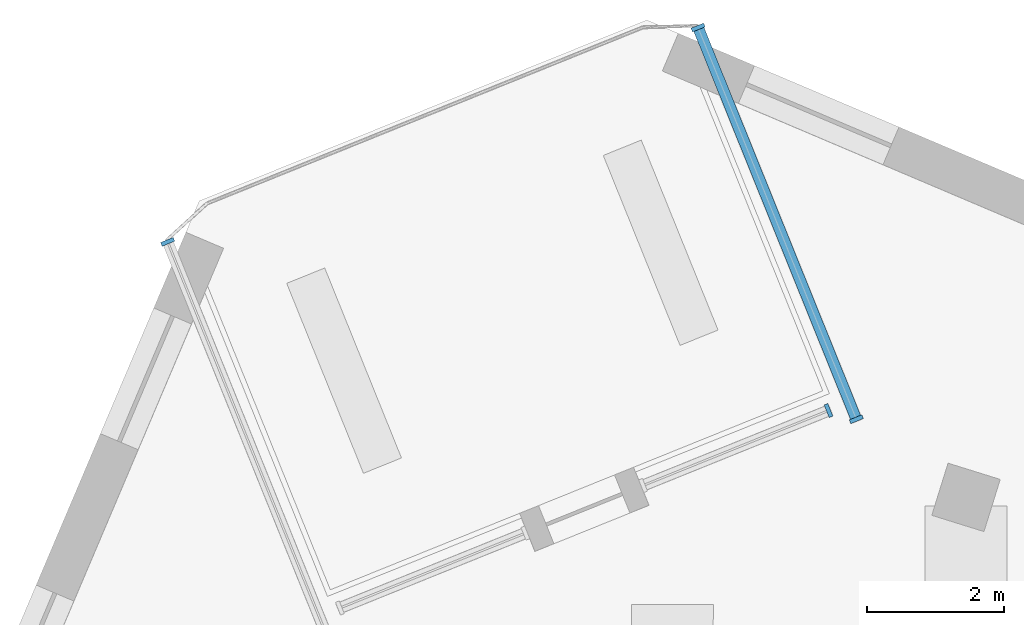
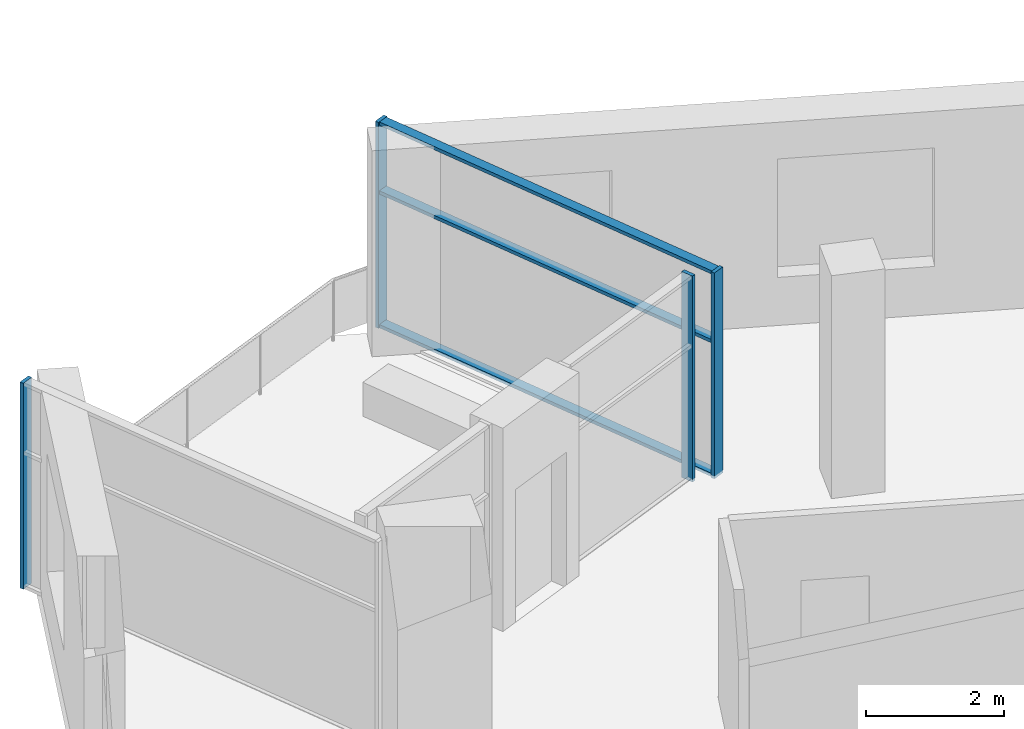
# One storey, part 4 of 13: 7 members, 3 elements without a shape of their own.
"""IFC4 building model written with IfcOpenShell, lengths in metres."""

from ifc_helpers import new_model, si_unit, direction, frame, origin, origin_2d, place, context, subcontext, project, spatial, rectangle, extrude, material, material_profile, profile_set, type_object, element, aggregate, save


model = new_model("IFC4")

# Units and contexts
model_context = context("Model", 3, precision=1e-05, world=origin(), true_north=direction((0.0, 1.0)))
body_context = subcontext(model_context, "Body", "Model", "MODEL_VIEW")
ifc_project = project(units=[si_unit("LENGTHUNIT", "METRE"), si_unit("AREAUNIT", "SQUARE_METRE"), si_unit("VOLUMEUNIT", "CUBIC_METRE"), si_unit("PLANEANGLEUNIT", "RADIAN"), si_unit("MASSUNIT", "GRAM", prefix="KILO")], contexts=[model_context])

# Site, building, storey
site_placement = place(None, origin())
site = spatial("IfcSite", under=ifc_project, at=site_placement, CompositionType="ELEMENT")
building_placement = place(site_placement, origin())
building = spatial("IfcBuilding", under=site, at=building_placement, Name="Dilmun Exchange Tower", CompositionType="ELEMENT")
storey_placement = place(building_placement, frame((0.0, 0.0, 296.5)))
storey = spatial("IfcBuildingStorey", under=building, at=storey_placement, Name="L70", CompositionType="ELEMENT", Elevation=296.5)

# Curtain wall, members
ifc_material_1 = material(Name="Anodised aluminium and clear glass", Category="aluminium")
curtain_wall_type = type_object("IfcCurtainWallType", Name="Garden corner glazing", PredefinedType="NOTDEFINED", material=ifc_material_1)
curtain_wall_1_placement = place(storey_placement, origin())
curtain_wall_1 = element("IfcCurtainWall", 1, at=curtain_wall_1_placement, inside=storey, type_object=curtain_wall_type, Name="Garden corner glazing run GC1.1", PredefinedType="NOTDEFINED")
ifc_material_2 = material(Name="Anodised aluminium", Category="aluminium")
ifc_material_profile_1 = material_profile(ifc_material_2, rectangle(XDim=0.199951171875, YDim=0.06005859375, at=origin_2d()), Name="AL 60x200")
ifc_profile_set_1 = profile_set([ifc_material_profile_1], Name="Anodised aluminium")
member_type_1 = type_object("IfcMemberType", Name="Garden corner glazing mullion 60 x 200", PredefinedType="MULLION", material=ifc_profile_set_1)
member_1_placement = place(storey_placement, frame((-7.779541015625, 36.100341796875, 0.0), z_axis=(0.0, 0.0, 1.0), x_axis=(0.927181535276, 0.374612333812, 0.0)))
member_1 = element("IfcMember", 2, at=member_1_placement, type_object=member_type_1, Name="GC1.1 mullion 1", PredefinedType="MULLION", context=body_context, shape_type="SweptSolid", body=[
    extrude(rectangle(XDim=0.199951171875, YDim=0.06005859375, at=origin_2d()), origin(), (0.0, 0.0, 1.0), 3.64990234375),
])
member_2_placement = place(storey_placement, frame((-5.462158203125, 30.364501953125, 0.0), z_axis=(0.0, 0.0, 1.0), x_axis=(0.927181535276, 0.374612333812, 0.0)))
member_2 = element("IfcMember", 3, at=member_2_placement, type_object=member_type_1, Name="GC1.1 mullion 2", PredefinedType="MULLION", context=body_context, shape_type="SweptSolid", body=[
    extrude(rectangle(XDim=0.199951171875, YDim=0.06005859375, at=origin_2d()), origin(), (0.0, 0.0, 1.0), 3.64990234375),
])

# Curtain wall, member
curtain_wall_2_placement = place(storey_placement, origin())
curtain_wall_2 = element("IfcCurtainWall", 4, at=curtain_wall_2_placement, inside=storey, type_object=curtain_wall_type, Name="Garden corner glazing run GC2.1", PredefinedType="NOTDEFINED")
member_3_placement = place(storey_placement, frame((-5.869140625, 30.4912109375, 0.0), z_axis=(0.0, 0.0, 1.0), x_axis=(0.374589715698, -0.927190673429, 0.0)))
member_3 = element("IfcMember", 5, at=member_3_placement, type_object=member_type_1, Name="GC2.1 mullion 1", PredefinedType="MULLION", context=body_context, shape_type="SweptSolid", body=[
    extrude(rectangle(XDim=0.199951171875, YDim=0.06005859375, at=origin_2d()), origin(), (0.0, 0.0, 1.0), 3.64990234375),
])
aggregate(curtain_wall_2, [member_3])

curtain_wall_3_placement = place(storey_placement, origin())
curtain_wall_3 = element("IfcCurtainWall", 6, at=curtain_wall_3_placement, inside=storey, type_object=curtain_wall_type, Name="Garden corner glazing run GC3.1", PredefinedType="NOTDEFINED")
member_4_placement = place(storey_placement, frame((-15.547607421875, 32.9619140625, 0.0), z_axis=(0.0, 0.0, 1.0), x_axis=(-0.92718072373, -0.374614342415, 0.0)))
member_4 = element("IfcMember", 7, at=member_4_placement, type_object=member_type_1, Name="GC3.1 mullion 2", PredefinedType="MULLION", context=body_context, shape_type="SweptSolid", body=[
    extrude(rectangle(XDim=0.199951171875, YDim=0.06005859375, at=origin_2d()), origin(), (0.0, 0.0, 1.0), 3.64990234375),
])
aggregate(curtain_wall_3, [member_4])

# Member
ifc_material_profile_2 = material_profile(ifc_material_2, rectangle(XDim=0.159912109375, YDim=0.06005859375, at=origin_2d()), Name="AL 60x160")
ifc_profile_set_2 = profile_set([ifc_material_profile_2], Name="Anodised aluminium")
member_type_2 = type_object("IfcMemberType", Name="Garden corner glazing transom 60 x 160", PredefinedType="USERDEFINED", material=ifc_profile_set_2)
member_5_placement = place(storey_placement, frame((-7.768310546875, 36.072509765625, 0.030029296875), z_axis=(0.374604052405, -0.927184881198, 0.0), x_axis=(0.927184881198, 0.374604052405, 0.0)))
member_5 = element("IfcMember", 8, at=member_5_placement, type_object=member_type_2, Name="GC1.1 transom 1.1", ObjectType="TRANSOM", PredefinedType="USERDEFINED", context=body_context, shape_type="SweptSolid", body=[
    extrude(rectangle(XDim=0.159912109375, YDim=0.06005859375, at=origin_2d()), origin(), (0.0, 0.0, 1.0), 6.126220703125),
])

member_6_placement = place(storey_placement, frame((-7.768310546875, 36.072509765625, 2.39990234375), z_axis=(0.374604052405, -0.927184881198, 0.0), x_axis=(0.927184881198, 0.374604052405, 0.0)))
member_6 = element("IfcMember", 9, at=member_6_placement, type_object=member_type_2, Name="GC1.1 transom 1.2", ObjectType="TRANSOM", PredefinedType="USERDEFINED", context=body_context, shape_type="SweptSolid", body=[
    extrude(rectangle(XDim=0.159912109375, YDim=0.06005859375, at=origin_2d()), origin(), (0.0, 0.0, 1.0), 6.126220703125),
])

member_7_placement = place(storey_placement, frame((-7.768310546875, 36.072509765625, 3.6201171875), z_axis=(0.374604052405, -0.927184881198, 0.0), x_axis=(0.927184881198, 0.374604052405, 0.0)))
member_7 = element("IfcMember", 10, at=member_7_placement, type_object=member_type_2, Name="GC1.1 transom 1.3", ObjectType="TRANSOM", PredefinedType="USERDEFINED", context=body_context, shape_type="SweptSolid", body=[
    extrude(rectangle(XDim=0.159912109375, YDim=0.06005859375, at=origin_2d()), origin(), (0.0, 0.0, 1.0), 6.126220703125),
])

aggregate(curtain_wall_1, [member_1, member_2, member_5, member_6, member_7])

save(model, "model.ifc")
